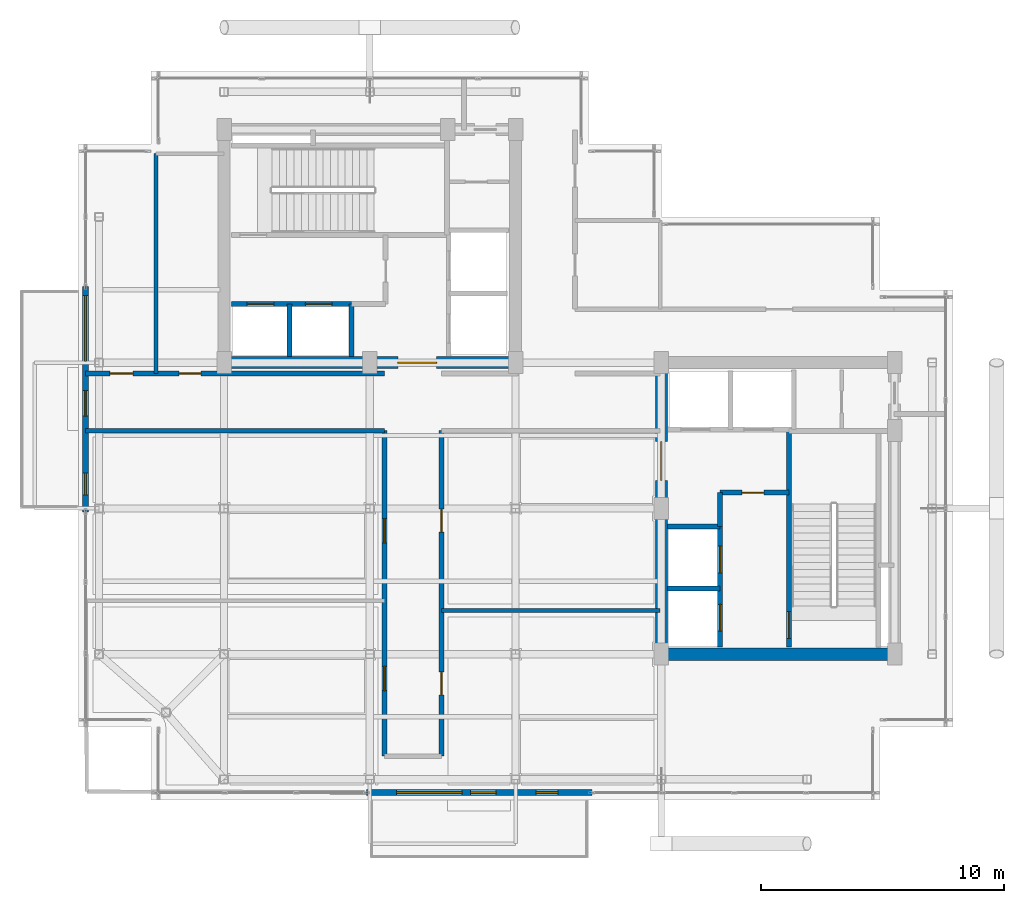
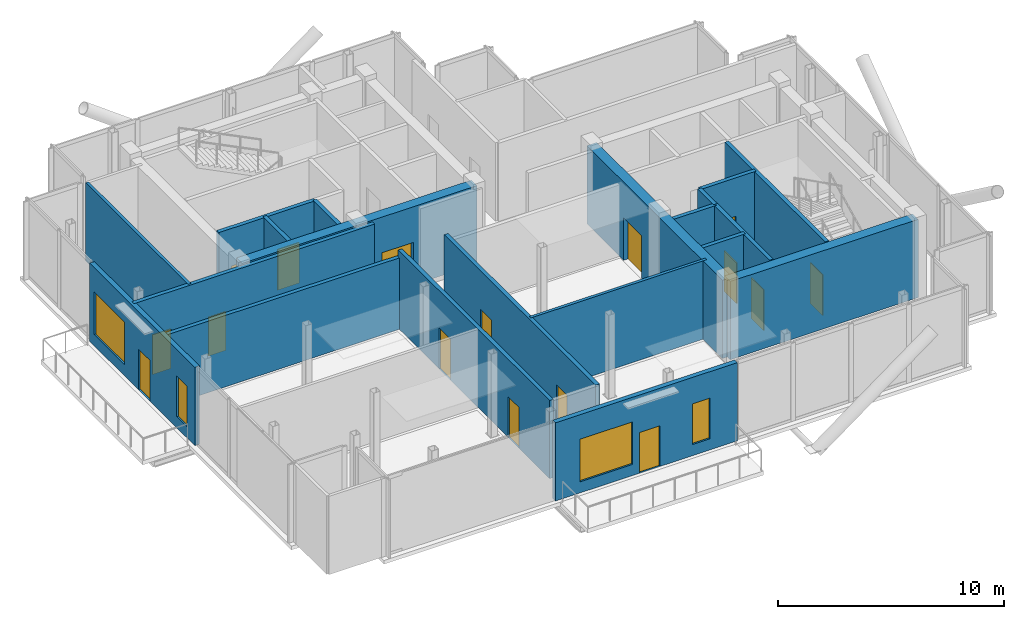
# One storey, part 12 of 16: 20 walls, 16 doors, 4 windows, 20 openings.
"""IFC4 building model written with IfcOpenShell, lengths in metres."""

from ifc_helpers import new_model, si_unit, direction, frame, frame_2d, origin, place, context, subcontext, project, spatial, rectangle, extrude, material, layer, layer_set, type_object, element, fill, save


model = new_model("IFC4")

# Units and contexts
model_context = context("Model", 3, precision=1e-05, world=origin(), true_north=direction((0.0, 1.0)))
body_context = subcontext(model_context, "Body", "Model", "MODEL_VIEW")
ifc_project = project(units=[si_unit("LENGTHUNIT", "METRE"), si_unit("AREAUNIT", "SQUARE_METRE"), si_unit("VOLUMEUNIT", "CUBIC_METRE"), si_unit("PLANEANGLEUNIT", "RADIAN"), si_unit("MASSUNIT", "GRAM", prefix="KILO"), si_unit("THERMODYNAMICTEMPERATUREUNIT", "KELVIN"), si_unit("POWERUNIT", "WATT")], contexts=[model_context])

# Site, building, storey
site_placement = place(None, origin())
site = spatial("IfcSite", under=ifc_project, at=site_placement, CompositionType="ELEMENT")
building_placement = place(site_placement, origin())
building = spatial("IfcBuilding", under=site, at=building_placement, Name="Svarakhadi Broadcast Tower", CompositionType="ELEMENT")
storey_placement = place(building_placement, frame((0.0, 0.0, 296.39990234375)))
storey = spatial("IfcBuildingStorey", under=building, at=storey_placement, Name="L75", CompositionType="ELEMENT", Elevation=296.39990234375)

# Wall, openings, door, windows
ifc_material_1 = material(Name="Concrete C40/50 (IS 456 M50)", Category="concrete")
ifc_layer_1 = layer(ifc_material_1, 0.239990234375)
ifc_layer_set_1 = layer_set([ifc_layer_1], Name="Concrete C40/50 (IS 456 M50)")
wall_type_1 = type_object("IfcWallType", Name="Wall_Ext_240", PredefinedType="SOLIDWALL", material=ifc_layer_set_1)
wall_1_placement = place(storey_placement, frame((21.14501953125, 0.300048828125, 0.0), z_axis=(0.0, 0.0, 1.0), x_axis=(-1.0, 0.0, 0.0)))
wall_1 = element("IfcWall", 1, at=wall_1_placement, inside=storey, type_object=wall_type_1, Name="L75 South Tree Balcony Spandrel Wall", PredefinedType="SOLIDWALL", context=body_context, shape_type="SweptSolid", body=[
    extrude(rectangle(XDim=9.2900390625, YDim=0.239990234375, at=frame_2d((4.64501953125, 0.0))), origin(), (0.0, 0.0, 1.0), 4.22509765625),
])
opening_1_placement = place(wall_1_placement, frame((3.945068359375, 0.0, 0.0)))
opening_1 = element("IfcOpeningElement", 2, at=opening_1_placement, cuts=wall_1, Name="Opening ED-05", PredefinedType="OPENING", context=body_context, shape_type="SweptSolid", body=[
    extrude(rectangle(XDim=1.050048828125, YDim=2.199951171875, at=frame_2d((0.52490234375, 1.10009765625))), frame((0.0, 0.1298828125, 0.0), z_axis=(0.0, -1.0, 0.0), x_axis=(1.0, 0.0, 0.0)), (0.0, 0.0, 1.0), 0.260009765625),
])
opening_2_placement = place(wall_1_placement, frame((5.344970703125, 0.0, 0.60009765625)))
opening_2 = element("IfcOpeningElement", 3, at=opening_2_placement, cuts=wall_1, Name="Opening WN-07", PredefinedType="OPENING", context=body_context, shape_type="SweptSolid", body=[
    extrude(rectangle(XDim=2.699951171875, YDim=2.300048828125, at=frame_2d((1.35009765625, 1.14990234375))), frame((0.0, 0.1298828125, 0.0), z_axis=(0.0, -1.0, 0.0), x_axis=(1.0, 0.0, 0.0)), (0.0, 0.0, 1.0), 0.260009765625),
])
opening_3_placement = place(wall_1_placement, frame((1.39990234375, 0.0, 0.60009765625)))
opening_3 = element("IfcOpeningElement", 4, at=opening_3_placement, cuts=wall_1, Name="Opening WN-04", PredefinedType="OPENING", context=body_context, shape_type="SweptSolid", body=[
    extrude(rectangle(XDim=0.89990234375, YDim=2.199951171875, at=frame_2d((0.449951171875, 1.10009765625))), frame((0.0, 0.1298828125, 0.0), z_axis=(0.0, -1.0, 0.0), x_axis=(1.0, 0.0, 0.0)), (0.0, 0.0, 1.0), 0.260009765625),
])
ifc_material_2 = material(Name="Anodised Bronze Aluminium AA 6063-T6", Category="aluminium")
door_type_1 = type_object("IfcDoorType", Name="Door_Ext_ED05", OperationType="SINGLE_SWING_LEFT", PredefinedType="DOOR", material=ifc_material_2)
door_1_placement = place(opening_1_placement, origin())
door_1 = element("IfcDoor", 5, at=door_1_placement, inside=storey, type_object=door_type_1, Name="L75 South Tree Balcony Door", OperationType="SINGLE_SWING_LEFT", OverallHeight=2.199951171875, OverallWidth=1.050048828125, PredefinedType="DOOR", context=body_context, shape_type="SweptSolid", body=[
    extrude(rectangle(XDim=1.050048828125, YDim=2.199951171875, at=frame_2d((0.52490234375, 1.10009765625))), frame((0.0, 0.02490234375, 0.0), z_axis=(0.0, -1.0, 0.0), x_axis=(1.0, 0.0, 0.0)), (0.0, 0.0, 1.0), 0.050048828125),
])
fill(opening_1, door_1)
ifc_material_3 = material(Name="Double Low-E Laminated Acoustic Glass IGU 36 mm", Category="glass")
window_type_1 = type_object("IfcWindowType", Name="Win_Resi_WN07", PartitioningType="SINGLE_PANEL", PredefinedType="WINDOW", material=ifc_material_3)
window_1_placement = place(opening_2_placement, origin())
window_1 = element("IfcWindow", 6, at=window_1_placement, inside=storey, type_object=window_type_1, Name="L75 South Tree Balcony Window", OverallHeight=2.300048828125, OverallWidth=2.699951171875, PartitioningType="SINGLE_PANEL", PredefinedType="WINDOW", context=body_context, shape_type="SweptSolid", body=[
    extrude(rectangle(XDim=2.699951171875, YDim=2.300048828125, at=frame_2d((1.35009765625, 1.14990234375))), frame((0.0, 0.030029296875, 0.0), z_axis=(0.0, -1.0, 0.0), x_axis=(1.0, 0.0, 0.0)), (0.0, 0.0, 1.0), 0.06005859375),
])
fill(opening_2, window_1)
window_type_2 = type_object("IfcWindowType", Name="Win_Slot_WN04", PartitioningType="SINGLE_PANEL", PredefinedType="WINDOW", material=ifc_material_3)
window_2_placement = place(opening_3_placement, origin())
window_2 = element("IfcWindow", 7, at=window_2_placement, inside=storey, type_object=window_type_2, Name="L75 South Primary Bedroom Slot Window", OverallHeight=2.199951171875, OverallWidth=0.89990234375, PartitioningType="SINGLE_PANEL", PredefinedType="WINDOW", context=body_context, shape_type="SweptSolid", body=[
    extrude(rectangle(XDim=0.89990234375, YDim=2.199951171875, at=frame_2d((0.449951171875, 1.10009765625))), frame((0.0, 0.030029296875, 0.0), z_axis=(0.0, -1.0, 0.0), x_axis=(1.0, 0.0, 0.0)), (0.0, 0.0, 1.0), 0.06005859375),
])
fill(opening_3, window_2)

wall_2_placement = place(storey_placement, frame((0.300048828125, 11.85498046875, 0.0), z_axis=(0.0, 0.0, 1.0), x_axis=(0.0, 1.0, 0.0)))
wall_2 = element("IfcWall", 8, at=wall_2_placement, inside=storey, type_object=wall_type_1, Name="L75 West Tree Balcony Spandrel Wall", PredefinedType="SOLIDWALL", context=body_context, shape_type="SweptSolid", body=[
    extrude(rectangle(XDim=9.2900390625, YDim=0.239990234375, at=frame_2d((4.64501953125, 0.0))), origin(), (0.0, 0.0, 1.0), 4.22509765625),
])
opening_4_placement = place(wall_2_placement, frame((3.945068359375, 0.0, 0.0)))
opening_4 = element("IfcOpeningElement", 9, at=opening_4_placement, cuts=wall_2, Name="Opening ED-06", PredefinedType="OPENING", context=body_context, shape_type="SweptSolid", body=[
    extrude(rectangle(XDim=1.050048828125, YDim=2.199951171875, at=frame_2d((0.52490234375, 1.10009765625))), frame((0.0, 0.1298828125, 0.0), z_axis=(0.0, -1.0, 0.0), x_axis=(1.0, 0.0, 0.0)), (0.0, 0.0, 1.0), 0.260009765625),
])
opening_5_placement = place(wall_2_placement, frame((6.199951171875, 0.0, 0.60009765625)))
opening_5 = element("IfcOpeningElement", 10, at=opening_5_placement, cuts=wall_2, Name="Opening WN-07", PredefinedType="OPENING", context=body_context, shape_type="SweptSolid", body=[
    extrude(rectangle(XDim=2.699951171875, YDim=2.300048828125, at=frame_2d((1.35009765625, 1.14990234375))), frame((0.0, 0.1298828125, 0.0), z_axis=(0.0, -1.0, 0.0), x_axis=(1.0, 0.0, 0.0)), (0.0, 0.0, 1.0), 0.260009765625),
])
opening_6_placement = place(wall_2_placement, frame((0.699951171875, 0.0, 0.60009765625)))
opening_6 = element("IfcOpeningElement", 11, at=opening_6_placement, cuts=wall_2, Name="Opening WN-04", PredefinedType="OPENING", context=body_context, shape_type="SweptSolid", body=[
    extrude(rectangle(XDim=0.89990234375, YDim=2.199951171875, at=frame_2d((0.449951171875, 1.10009765625))), frame((0.0, 0.1298828125, 0.0), z_axis=(0.0, -1.0, 0.0), x_axis=(1.0, 0.0, 0.0)), (0.0, 0.0, 1.0), 0.260009765625),
])
door_type_2 = type_object("IfcDoorType", Name="Door_Ext_ED06", OperationType="SINGLE_SWING_RIGHT", PredefinedType="DOOR", material=ifc_material_2)
door_2_placement = place(opening_4_placement, origin())
door_2 = element("IfcDoor", 12, at=door_2_placement, inside=storey, type_object=door_type_2, Name="L75 West Tree Balcony Door", OperationType="SINGLE_SWING_RIGHT", OverallHeight=2.199951171875, OverallWidth=1.050048828125, PredefinedType="DOOR", context=body_context, shape_type="SweptSolid", body=[
    extrude(rectangle(XDim=1.050048828125, YDim=2.199951171875, at=frame_2d((0.52490234375, 1.10009765625))), frame((0.0, 0.02490234375, 0.0), z_axis=(0.0, -1.0, 0.0), x_axis=(1.0, 0.0, 0.0)), (0.0, 0.0, 1.0), 0.050048828125),
])
fill(opening_4, door_2)
window_3_placement = place(opening_5_placement, origin())
window_3 = element("IfcWindow", 13, at=window_3_placement, inside=storey, type_object=window_type_1, Name="L75 West Tree Balcony Window", OverallHeight=2.300048828125, OverallWidth=2.699951171875, PartitioningType="SINGLE_PANEL", PredefinedType="WINDOW", context=body_context, shape_type="SweptSolid", body=[
    extrude(rectangle(XDim=2.699951171875, YDim=2.300048828125, at=frame_2d((1.35009765625, 1.14990234375))), frame((0.0, 0.030029296875, 0.0), z_axis=(0.0, -1.0, 0.0), x_axis=(1.0, 0.0, 0.0)), (0.0, 0.0, 1.0), 0.06005859375),
])
fill(opening_5, window_3)
window_4_placement = place(opening_6_placement, origin())
window_4 = element("IfcWindow", 14, at=window_4_placement, inside=storey, type_object=window_type_2, Name="L75 West Secondary Bedroom Slot Window", OverallHeight=2.199951171875, OverallWidth=0.89990234375, PartitioningType="SINGLE_PANEL", PredefinedType="WINDOW", context=body_context, shape_type="SweptSolid", body=[
    extrude(rectangle(XDim=0.89990234375, YDim=2.199951171875, at=frame_2d((0.449951171875, 1.10009765625))), frame((0.0, 0.030029296875, 0.0), z_axis=(0.0, -1.0, 0.0), x_axis=(1.0, 0.0, 0.0)), (0.0, 0.0, 1.0), 0.06005859375),
])
fill(opening_6, window_4)

# Wall, openings, doors
ifc_layer_2 = layer(ifc_material_1, 0.199951171875)
ifc_layer_set_2 = layer_set([ifc_layer_2], Name="Concrete C40/50 (IS 456 M50)")
wall_type_2 = type_object("IfcWallType", Name="Wall_Fire_200", PredefinedType="SOLIDWALL", material=ifc_layer_set_2)
wall_3_placement = place(storey_placement, frame((12.60009765625, 1.800048828125, 0.0), z_axis=(0.0, 0.0, 1.0), x_axis=(0.0, 1.0, 0.0)))
wall_3 = element("IfcWall", 15, at=wall_3_placement, inside=storey, type_object=wall_type_2, Name="L75 Upper Tower Concourse Wall", PredefinedType="SOLIDWALL", context=body_context, shape_type="SweptSolid", body=[
    extrude(rectangle(XDim=13.39990234375, YDim=0.199951171875, at=frame_2d((6.699951171875, 0.0))), origin(), (0.0, 0.0, 1.0), 4.22509765625),
])
opening_7_placement = place(wall_3_placement, frame((2.699951171875, 0.0, 0.0)))
opening_7 = element("IfcOpeningElement", 16, at=opening_7_placement, cuts=wall_3, Name="Opening D-08", PredefinedType="OPENING", context=body_context, shape_type="SweptSolid", body=[
    extrude(rectangle(XDim=1.0, YDim=2.199951171875, at=frame_2d((0.5, 1.10009765625))), frame((0.0, 0.10986328125, 0.0), z_axis=(0.0, -1.0, 0.0), x_axis=(1.0, 0.0, 0.0)), (0.0, 0.0, 1.0), 0.219970703125),
])
opening_8_placement = place(wall_3_placement, frame((8.780029296875, 0.0, 0.0)))
opening_8 = element("IfcOpeningElement", 17, at=opening_8_placement, cuts=wall_3, Name="Opening D-08", PredefinedType="OPENING", context=body_context, shape_type="SweptSolid", body=[
    extrude(rectangle(XDim=1.0, YDim=2.199951171875, at=frame_2d((0.5, 1.10009765625))), frame((0.0, 0.10986328125, 0.0), z_axis=(0.0, -1.0, 0.0), x_axis=(1.0, 0.0, 0.0)), (0.0, 0.0, 1.0), 0.219970703125),
])
ifc_material_4 = material(Name="Solid-Core Teak Veneer Acoustic Timber Leaf", Category="wood")
door_type_3 = type_object("IfcDoorType", Name="Door_Suite_D08", OperationType="SINGLE_SWING_LEFT", PredefinedType="DOOR", material=ifc_material_4)
door_3_placement = place(opening_7_placement, origin())
door_3 = element("IfcDoor", 18, at=door_3_placement, inside=storey, type_object=door_type_3, Name="L75 Public 360-Degree Harbour Viewing Deck Door", OperationType="SINGLE_SWING_LEFT", OverallHeight=2.199951171875, OverallWidth=1.0, PredefinedType="DOOR", context=body_context, shape_type="SweptSolid", body=[
    extrude(rectangle(XDim=1.0, YDim=2.199951171875, at=frame_2d((0.5, 1.10009765625))), frame((0.0, 0.02490234375, 0.0), z_axis=(0.0, -1.0, 0.0), x_axis=(1.0, 0.0, 0.0)), (0.0, 0.0, 1.0), 0.050048828125),
])
fill(opening_7, door_3)
door_4_placement = place(opening_8_placement, origin())
door_4 = element("IfcDoor", 19, at=door_4_placement, inside=storey, type_object=door_type_3, Name="L75 Interactive Mumbai Media Gallery Door", OperationType="SINGLE_SWING_LEFT", OverallHeight=2.199951171875, OverallWidth=1.0, PredefinedType="DOOR", context=body_context, shape_type="SweptSolid", body=[
    extrude(rectangle(XDim=1.0, YDim=2.199951171875, at=frame_2d((0.5, 1.10009765625))), frame((0.0, 0.02490234375, 0.0), z_axis=(0.0, -1.0, 0.0), x_axis=(1.0, 0.0, 0.0)), (0.0, 0.0, 1.0), 0.050048828125),
])
fill(opening_8, door_4)

# Wall
wall_4_placement = place(storey_placement, frame((12.60009765625, 15.199951171875, 0.0), z_axis=(0.0, 0.0, 1.0), x_axis=(-1.0, 0.0, 0.0)))
element("IfcWall", 20, at=wall_4_placement, inside=storey, type_object=wall_type_2, Name="L75 Upper Tower Concourse Wall", PredefinedType="SOLIDWALL", context=body_context, shape_type="SweptSolid", body=[
    extrude(rectangle(XDim=12.300048828125, YDim=0.199951171875, at=frame_2d((6.14990234375, 0.0))), origin(), (0.0, 0.0, 1.0), 3.857177734375),
])

# Wall, openings, doors
wall_5_placement = place(storey_placement, frame((0.300048828125, 17.550048828125, 0.0), z_axis=(0.0, 0.0, 1.0), x_axis=(1.0, 0.0, 0.0)))
wall_5 = element("IfcWall", 21, at=wall_5_placement, inside=storey, type_object=wall_type_2, Name="L75 Upper Tower Concourse Wall", PredefinedType="SOLIDWALL", context=body_context, shape_type="SweptSolid", body=[
    extrude(rectangle(XDim=12.300048828125, YDim=0.199951171875, at=frame_2d((6.14990234375, 0.0))), origin(), (0.0, 0.0, 1.0), 4.22509765625),
])
opening_9_placement = place(wall_5_placement, frame((1.0, 0.0, 0.0)))
opening_9 = element("IfcOpeningElement", 22, at=opening_9_placement, cuts=wall_5, Name="Opening D-07", PredefinedType="OPENING", context=body_context, shape_type="SweptSolid", body=[
    extrude(rectangle(XDim=0.949951171875, YDim=2.14990234375, at=frame_2d((0.47509765625, 1.074951171875))), frame((0.0, 0.10986328125, 0.0), z_axis=(0.0, -1.0, 0.0), x_axis=(1.0, 0.0, 0.0)), (0.0, 0.0, 1.0), 0.219970703125),
])
opening_10_placement = place(wall_5_placement, frame((3.85009765625, 0.0, 0.0)))
opening_10 = element("IfcOpeningElement", 23, at=opening_10_placement, cuts=wall_5, Name="Opening D-12", PredefinedType="OPENING", context=body_context, shape_type="SweptSolid", body=[
    extrude(rectangle(XDim=0.89990234375, YDim=2.10009765625, at=frame_2d((0.449951171875, 1.050048828125))), frame((0.0, 0.10986328125, 0.0), z_axis=(0.0, -1.0, 0.0), x_axis=(1.0, 0.0, 0.0)), (0.0, 0.0, 1.0), 0.219970703125),
])
door_type_4 = type_object("IfcDoorType", Name="Door_Office_D07", OperationType="SINGLE_SWING_RIGHT", PredefinedType="DOOR", material=ifc_material_4)
door_5_placement = place(opening_9_placement, origin())
door_5 = element("IfcDoor", 24, at=door_5_placement, inside=storey, type_object=door_type_4, Name="L75 West Horizon Viewing Salon Door", OperationType="SINGLE_SWING_RIGHT", OverallHeight=2.14990234375, OverallWidth=0.949951171875, PredefinedType="DOOR", context=body_context, shape_type="SweptSolid", body=[
    extrude(rectangle(XDim=0.949951171875, YDim=2.14990234375, at=frame_2d((0.47509765625, 1.074951171875))), frame((0.0, 0.02490234375, 0.0), z_axis=(0.0, -1.0, 0.0), x_axis=(1.0, 0.0, 0.0)), (0.0, 0.0, 1.0), 0.050048828125),
])
fill(opening_9, door_5)
door_type_5 = type_object("IfcDoorType", Name="Door_WC_D01", OperationType="SINGLE_SWING_LEFT", PredefinedType="DOOR", material=ifc_material_4)
door_6_placement = place(opening_10_placement, origin())
door_6 = element("IfcDoor", 25, at=door_6_placement, inside=storey, type_object=door_type_5, Name="L75 Accessible Crown Washroom WC Door", OperationType="SINGLE_SWING_LEFT", OverallHeight=2.10009765625, OverallWidth=0.89990234375, PredefinedType="DOOR", context=body_context, shape_type="SweptSolid", body=[
    extrude(rectangle(XDim=0.89990234375, YDim=2.10009765625, at=frame_2d((0.449951171875, 1.050048828125))), frame((0.0, 0.02490234375, 0.0), z_axis=(0.0, -1.0, 0.0), x_axis=(1.0, 0.0, 0.0)), (0.0, 0.0, 1.0), 0.050048828125),
])
fill(opening_10, door_6)

wall_6_placement = place(storey_placement, frame((14.949951171875, 15.199951171875, 0.0), z_axis=(0.0, 0.0, 1.0), x_axis=(0.0, -1.0, 0.0)))
wall_6 = element("IfcWall", 26, at=wall_6_placement, inside=storey, type_object=wall_type_2, Name="L75 Upper Tower Concourse Wall", PredefinedType="SOLIDWALL", context=body_context, shape_type="SweptSolid", body=[
    extrude(rectangle(XDim=13.39990234375, YDim=0.199951171875, at=frame_2d((6.699951171875, 0.0))), origin(), (0.0, 0.0, 1.0), 4.22509765625),
])
opening_11_placement = place(wall_6_placement, frame((9.925048828125, 0.0, 0.0)))
opening_11 = element("IfcOpeningElement", 27, at=opening_11_placement, cuts=wall_6, Name="Opening D-07", PredefinedType="OPENING", context=body_context, shape_type="SweptSolid", body=[
    extrude(rectangle(XDim=0.949951171875, YDim=2.14990234375, at=frame_2d((0.47509765625, 1.074951171875))), frame((0.0, 0.10986328125, 0.0), z_axis=(0.0, -1.0, 0.0), x_axis=(1.0, 0.0, 0.0)), (0.0, 0.0, 1.0), 0.219970703125),
])
opening_12_placement = place(wall_6_placement, frame((3.22509765625, 0.0, 0.0)))
opening_12 = element("IfcOpeningElement", 28, at=opening_12_placement, cuts=wall_6, Name="Opening D-06", PredefinedType="OPENING", context=body_context, shape_type="SweptSolid", body=[
    extrude(rectangle(XDim=0.949951171875, YDim=2.14990234375, at=frame_2d((0.47509765625, 1.074951171875))), frame((0.0, 0.10986328125, 0.0), z_axis=(0.0, -1.0, 0.0), x_axis=(1.0, 0.0, 0.0)), (0.0, 0.0, 1.0), 0.219970703125),
])
door_type_6 = type_object("IfcDoorType", Name="Door_Office_D06", OperationType="SINGLE_SWING_LEFT", PredefinedType="DOOR", material=ifc_material_4)
door_7_placement = place(opening_12_placement, origin())
door_7 = element("IfcDoor", 29, at=door_7_placement, inside=storey, type_object=door_type_6, Name="L75 Observatory Catering Pantry Door", OperationType="SINGLE_SWING_LEFT", OverallHeight=2.14990234375, OverallWidth=0.949951171875, PredefinedType="DOOR", context=body_context, shape_type="SweptSolid", body=[
    extrude(rectangle(XDim=0.949951171875, YDim=2.14990234375, at=frame_2d((0.47509765625, 1.074951171875))), frame((0.0, 0.02490234375, 0.0), z_axis=(0.0, -1.0, 0.0), x_axis=(1.0, 0.0, 0.0)), (0.0, 0.0, 1.0), 0.050048828125),
])
fill(opening_12, door_7)
door_8_placement = place(opening_11_placement, origin())
door_8 = element("IfcDoor", 30, at=door_8_placement, inside=storey, type_object=door_type_4, Name="L75 Sky-High Observatory Cafe Door", OperationType="SINGLE_SWING_RIGHT", OverallHeight=2.14990234375, OverallWidth=0.949951171875, PredefinedType="DOOR", context=body_context, shape_type="SweptSolid", body=[
    extrude(rectangle(XDim=0.949951171875, YDim=2.14990234375, at=frame_2d((0.47509765625, 1.074951171875))), frame((0.0, 0.02490234375, 0.0), z_axis=(0.0, -1.0, 0.0), x_axis=(1.0, 0.0, 0.0)), (0.0, 0.0, 1.0), 0.050048828125),
])
fill(opening_11, door_8)

# Walls
ifc_material_5 = material(Name="Autoclaved Aerated Concrete Blockwork 150 mm", Category="masonry")
ifc_layer_3 = layer(ifc_material_5, 0.14990234375)
ifc_layer_set_3 = layer_set([ifc_layer_3], Name="Autoclaved Aerated Concrete Blockwork 150 mm")
wall_type_3 = type_object("IfcWallType", Name="Wall_Part_150", PredefinedType="PARTITIONING", material=ifc_layer_set_3)
wall_7_placement = place(storey_placement, frame((14.949951171875, 7.800048828125, 0.0), z_axis=(0.0, 0.0, 1.0), x_axis=(1.0, 0.0, 0.0)))
element("IfcWall", 31, at=wall_7_placement, inside=storey, type_object=wall_type_3, Name="L75 Sky-High Observatory Cafe Wall", PredefinedType="PARTITIONING", context=body_context, shape_type="SweptSolid", body=[
    extrude(rectangle(XDim=9.0, YDim=0.14990234375, at=frame_2d((4.5, 0.0))), origin(), (0.0, 0.0, 1.0), 4.22509765625),
])
wall_8_placement = place(storey_placement, frame((3.199951171875, 17.550048828125, 0.0), z_axis=(0.0, 0.0, 1.0), x_axis=(0.0, 1.0, 0.0)))
element("IfcWall", 32, at=wall_8_placement, inside=storey, type_object=wall_type_3, Name="L75 West Horizon Viewing Salon Wall", PredefinedType="PARTITIONING", context=body_context, shape_type="SweptSolid", body=[
    extrude(rectangle(XDim=9.050048828125, YDim=0.14990234375, at=frame_2d((4.52490234375, 0.0))), origin(), (0.0, 0.0, 1.0), 4.22509765625),
])

# Wall, opening, door
ifc_material_6 = material(Name="Concrete C50/60 (IS 456 M60)", Category="concrete")
ifc_layer_4 = layer(ifc_material_6, 0.199951171875)
ifc_layer_set_4 = layer_set([ifc_layer_4], Name="Concrete C50/60 (IS 456 M60)")
wall_type_4 = type_object("IfcWallType", Name="Wall_Shear_200", PredefinedType="SHEAR", material=ifc_layer_set_4)
wall_9_placement = place(storey_placement, frame((29.260009765625, 6.300048828125, 0.0), z_axis=(0.0, 0.0, 1.0), x_axis=(0.0, 1.0, 0.0)))
wall_9 = element("IfcWall", 33, at=wall_9_placement, inside=storey, type_object=wall_type_4, Name="L75 Stair ST-02 West RC Shaft Wall", PredefinedType="SHEAR", context=body_context, shape_type="SweptSolid", body=[
    extrude(rectangle(XDim=8.8798828125, YDim=0.199951171875, at=frame_2d((4.43994140625, 0.0))), origin(), (0.0, 0.0, 1.0), 4.22509765625),
])
opening_13_placement = place(wall_9_placement, frame((0.35009765625, 0.0, 0.0)))
opening_13 = element("IfcOpeningElement", 34, at=opening_13_placement, cuts=wall_9, Name="Opening D-02", PredefinedType="OPENING", context=body_context, shape_type="SweptSolid", body=[
    extrude(rectangle(XDim=1.10009765625, YDim=2.199951171875, at=frame_2d((0.550048828125, 1.10009765625))), frame((0.0, 0.10986328125, 0.0), z_axis=(0.0, -1.0, 0.0), x_axis=(1.0, 0.0, 0.0)), (0.0, 0.0, 1.0), 0.219970703125),
])
ifc_material_7 = material(Name="Galvanised Powder-Coated Fire-Rated Steel Leaf", Category="steel")
door_type_7 = type_object("IfcDoorType", Name="Door_Stair_D02", OperationType="SINGLE_SWING_RIGHT", PredefinedType="DOOR", material=ifc_material_7)
door_9_placement = place(opening_13_placement, origin())
door_9 = element("IfcDoor", 35, at=door_9_placement, inside=storey, type_object=door_type_7, Name="L75 Protected Exit Stair ST-02 Fire Door", OperationType="SINGLE_SWING_RIGHT", OverallHeight=2.199951171875, OverallWidth=1.10009765625, PredefinedType="DOOR", context=body_context, shape_type="SweptSolid", body=[
    extrude(rectangle(XDim=1.10009765625, YDim=2.199951171875, at=frame_2d((0.550048828125, 1.10009765625))), frame((0.0, 0.02490234375, 0.0), z_axis=(0.0, -1.0, 0.0), x_axis=(1.0, 0.0, 0.0)), (0.0, 0.0, 1.0), 0.050048828125),
])
fill(opening_13, door_9)

# Wall, openings, doors
wall_10_placement = place(storey_placement, frame((6.300048828125, 20.419921875, 0.0), z_axis=(0.0, 0.0, 1.0), x_axis=(1.0, 0.0, 0.0)))
wall_10 = element("IfcWall", 36, at=wall_10_placement, inside=storey, type_object=wall_type_4, Name="L75 Firefighting Lift LF-01/02 Shaft Wall", PredefinedType="SHEAR", context=body_context, shape_type="SweptSolid", body=[
    extrude(rectangle(XDim=4.949951171875, YDim=0.199951171875, at=frame_2d((2.47509765625, 0.0))), origin(), (0.0, 0.0, 1.0), 4.22509765625),
])
opening_14_placement = place(wall_10_placement, frame((0.64990234375, 0.0, 0.0)))
opening_14 = element("IfcOpeningElement", 37, at=opening_14_placement, cuts=wall_10, Name="Opening LD-01", PredefinedType="OPENING", context=body_context, shape_type="SweptSolid", body=[
    extrude(rectangle(XDim=1.10009765625, YDim=2.199951171875, at=frame_2d((0.550048828125, 1.10009765625))), frame((0.0, 0.10986328125, 0.0), z_axis=(0.0, -1.0, 0.0), x_axis=(1.0, 0.0, 0.0)), (0.0, 0.0, 1.0), 0.219970703125),
])
opening_15_placement = place(wall_10_placement, frame((3.050048828125, 0.0, 0.0)))
opening_15 = element("IfcOpeningElement", 38, at=opening_15_placement, cuts=wall_10, Name="Opening LD-01", PredefinedType="OPENING", context=body_context, shape_type="SweptSolid", body=[
    extrude(rectangle(XDim=1.10009765625, YDim=2.199951171875, at=frame_2d((0.550048828125, 1.10009765625))), frame((0.0, 0.10986328125, 0.0), z_axis=(0.0, -1.0, 0.0), x_axis=(1.0, 0.0, 0.0)), (0.0, 0.0, 1.0), 0.219970703125),
])
door_type_8 = type_object("IfcDoorType", Name="Door_Lift_LD01", OperationType="SLIDING_TO_LEFT", PredefinedType="DOOR", material=ifc_material_7)
door_10_placement = place(opening_14_placement, origin())
door_10 = element("IfcDoor", 39, at=door_10_placement, inside=storey, type_object=door_type_8, Name="L75 Firefighting Lift LF-01 Landing Door", OperationType="SLIDING_TO_LEFT", OverallHeight=2.199951171875, OverallWidth=1.10009765625, PredefinedType="DOOR", context=body_context, shape_type="SweptSolid", body=[
    extrude(rectangle(XDim=1.10009765625, YDim=2.199951171875, at=frame_2d((0.550048828125, 1.10009765625))), frame((0.0, 0.02490234375, 0.0), z_axis=(0.0, -1.0, 0.0), x_axis=(1.0, 0.0, 0.0)), (0.0, 0.0, 1.0), 0.050048828125),
])
fill(opening_14, door_10)
door_11_placement = place(opening_15_placement, origin())
door_11 = element("IfcDoor", 40, at=door_11_placement, inside=storey, type_object=door_type_8, Name="L75 Firefighting Lift LF-02 Landing Door", OperationType="SLIDING_TO_LEFT", OverallHeight=2.199951171875, OverallWidth=1.10009765625, PredefinedType="DOOR", context=body_context, shape_type="SweptSolid", body=[
    extrude(rectangle(XDim=1.10009765625, YDim=2.199951171875, at=frame_2d((0.550048828125, 1.10009765625))), frame((0.0, 0.02490234375, 0.0), z_axis=(0.0, -1.0, 0.0), x_axis=(1.0, 0.0, 0.0)), (0.0, 0.0, 1.0), 0.050048828125),
])
fill(opening_15, door_11)

# Walls
for number, where, z_axis, x_axis, name in (
    (41, (8.699951171875, 18.25, 0.0), (0.0, 0.0, 1.0), (0.0, 1.0, 0.0), "L75 Firefighting Lift LF-01/02 Divider Wall"),
    (42, (11.25, 18.25, 0.0), (0.0, 0.0, 1.0), (0.0, 1.0, 0.0), "L75 Firefighting Lift LF-02 East Wall"),
):
    element("IfcWall", number, at=place(storey_placement, frame(where, z_axis=z_axis, x_axis=x_axis)), inside=storey, type_object=wall_type_4, Name=name, PredefinedType="SHEAR", context=body_context, shape_type="SweptSolid", body=[
        extrude(rectangle(XDim=2.169921875, YDim=0.199951171875, at=frame_2d((1.0849609375, 0.0))), origin(), (0.0, 0.0, 1.0), 4.22509765625),
    ])

# Wall, openings, doors
wall_11_placement = place(storey_placement, frame((26.419921875, 6.300048828125, 0.0), z_axis=(0.0, 0.0, 1.0), x_axis=(0.0, 1.0, 0.0)))
wall_11 = element("IfcWall", 43, at=wall_11_placement, inside=storey, type_object=wall_type_4, Name="L75 Firefighting Lift LF-03/04 Shaft Wall", PredefinedType="SHEAR", context=body_context, shape_type="SweptSolid", body=[
    extrude(rectangle(XDim=4.949951171875, YDim=0.199951171875, at=frame_2d((2.47509765625, 0.0))), origin(), (0.0, 0.0, 1.0), 4.22509765625),
])
opening_16_placement = place(wall_11_placement, frame((0.64990234375, 0.0, 0.0)))
opening_16 = element("IfcOpeningElement", 44, at=opening_16_placement, cuts=wall_11, Name="Opening LD-01", PredefinedType="OPENING", context=body_context, shape_type="SweptSolid", body=[
    extrude(rectangle(XDim=1.10009765625, YDim=2.199951171875, at=frame_2d((0.550048828125, 1.10009765625))), frame((0.0, 0.10986328125, 0.0), z_axis=(0.0, -1.0, 0.0), x_axis=(1.0, 0.0, 0.0)), (0.0, 0.0, 1.0), 0.219970703125),
])
opening_17_placement = place(wall_11_placement, frame((3.050048828125, 0.0, 0.0)))
opening_17 = element("IfcOpeningElement", 45, at=opening_17_placement, cuts=wall_11, Name="Opening LD-01", PredefinedType="OPENING", context=body_context, shape_type="SweptSolid", body=[
    extrude(rectangle(XDim=1.10009765625, YDim=2.199951171875, at=frame_2d((0.550048828125, 1.10009765625))), frame((0.0, 0.10986328125, 0.0), z_axis=(0.0, -1.0, 0.0), x_axis=(1.0, 0.0, 0.0)), (0.0, 0.0, 1.0), 0.219970703125),
])
door_12_placement = place(opening_16_placement, origin())
door_12 = element("IfcDoor", 46, at=door_12_placement, inside=storey, type_object=door_type_8, Name="L75 Firefighting Lift LF-03 Landing Door", OperationType="SLIDING_TO_LEFT", OverallHeight=2.199951171875, OverallWidth=1.10009765625, PredefinedType="DOOR", context=body_context, shape_type="SweptSolid", body=[
    extrude(rectangle(XDim=1.10009765625, YDim=2.199951171875, at=frame_2d((0.550048828125, 1.10009765625))), frame((0.0, 0.02490234375, 0.0), z_axis=(0.0, -1.0, 0.0), x_axis=(1.0, 0.0, 0.0)), (0.0, 0.0, 1.0), 0.050048828125),
])
fill(opening_16, door_12)
door_13_placement = place(opening_17_placement, origin())
door_13 = element("IfcDoor", 47, at=door_13_placement, inside=storey, type_object=door_type_8, Name="L75 Firefighting Lift LF-04 Landing Door", OperationType="SLIDING_TO_LEFT", OverallHeight=2.199951171875, OverallWidth=1.10009765625, PredefinedType="DOOR", context=body_context, shape_type="SweptSolid", body=[
    extrude(rectangle(XDim=1.10009765625, YDim=2.199951171875, at=frame_2d((0.550048828125, 1.10009765625))), frame((0.0, 0.02490234375, 0.0), z_axis=(0.0, -1.0, 0.0), x_axis=(1.0, 0.0, 0.0)), (0.0, 0.0, 1.0), 0.050048828125),
])
fill(opening_17, door_13)

# Walls
for number, where, z_axis, x_axis, name in (
    (48, (24.25, 8.699951171875, 0.0), (0.0, 0.0, 1.0), (1.0, 0.0, 0.0), "L75 Firefighting Lift LF-03/04 Divider Wall"),
    (49, (24.25, 11.25, 0.0), (0.0, 0.0, 1.0), (1.0, 0.0, 0.0), "L75 Firefighting Lift LF-04 North Wall"),
):
    element("IfcWall", number, at=place(storey_placement, frame(where, z_axis=z_axis, x_axis=x_axis)), inside=storey, type_object=wall_type_4, Name=name, PredefinedType="SHEAR", context=body_context, shape_type="SweptSolid", body=[
        extrude(rectangle(XDim=2.169921875, YDim=0.199951171875, at=frame_2d((1.0849609375, 0.0))), origin(), (0.0, 0.0, 1.0), 4.22509765625),
    ])
wall_12_placement = place(storey_placement, frame((26.419921875, 11.25, 0.0), z_axis=(0.0, 0.0, 1.0), x_axis=(0.0, 1.0, 0.0)))
element("IfcWall", 50, at=wall_12_placement, inside=storey, type_object=wall_type_4, Name="L75 East Firefighting Lobby West Wall", PredefinedType="SHEAR", context=body_context, shape_type="SweptSolid", body=[
    extrude(rectangle(XDim=1.39990234375, YDim=0.199951171875, at=frame_2d((0.699951171875, 0.0))), origin(), (0.0, 0.0, 1.0), 4.22509765625),
])

# Wall, opening, door
wall_13_placement = place(storey_placement, frame((26.419921875, 12.64990234375, 0.0), z_axis=(0.0, 0.0, 1.0), x_axis=(1.0, 0.0, 0.0)))
wall_13 = element("IfcWall", 51, at=wall_13_placement, inside=storey, type_object=wall_type_4, Name="L75 East Firefighting Lobby North Wall", PredefinedType="SHEAR", context=body_context, shape_type="SweptSolid", body=[
    extrude(rectangle(XDim=2.840087890625, YDim=0.199951171875, at=frame_2d((1.419921875, 0.0))), origin(), (0.0, 0.0, 1.0), 4.22509765625),
])
opening_18_placement = place(wall_13_placement, frame((0.89990234375, 0.0, 0.0)))
opening_18 = element("IfcOpeningElement", 52, at=opening_18_placement, cuts=wall_13, Name="Opening D-04", PredefinedType="OPENING", context=body_context, shape_type="SweptSolid", body=[
    extrude(rectangle(XDim=0.89990234375, YDim=2.14990234375, at=frame_2d((0.449951171875, 1.074951171875))), frame((0.0, 0.10986328125, 0.0), z_axis=(0.0, -1.0, 0.0), x_axis=(1.0, 0.0, 0.0)), (0.0, 0.0, 1.0), 0.219970703125),
])
door_type_9 = type_object("IfcDoorType", Name="Door_Fire_D04", OperationType="SINGLE_SWING_RIGHT", PredefinedType="DOOR", material=ifc_material_7)
door_14_placement = place(opening_18_placement, origin())
door_14 = element("IfcDoor", 53, at=door_14_placement, inside=storey, type_object=door_type_9, Name="L75 East Firefighting Lobby Fire Door", OperationType="SINGLE_SWING_RIGHT", OverallHeight=2.14990234375, OverallWidth=0.89990234375, PredefinedType="DOOR", context=body_context, shape_type="SweptSolid", body=[
    extrude(rectangle(XDim=0.89990234375, YDim=2.14990234375, at=frame_2d((0.449951171875, 1.074951171875))), frame((0.0, 0.02490234375, 0.0), z_axis=(0.0, -1.0, 0.0), x_axis=(1.0, 0.0, 0.0)), (0.0, 0.0, 1.0), 0.050048828125),
])
fill(opening_18, door_14)

ifc_layer_5 = layer(ifc_material_6, 0.5)
ifc_layer_set_5 = layer_set([ifc_layer_5], Name="Concrete C50/60 (IS 456 M60)")
wall_type_5 = type_object("IfcWallType", Name="Wall_Shear_500", PredefinedType="SHEAR", material=ifc_layer_set_5)
wall_14_placement = place(storey_placement, frame((6.0, 18.0, 0.0), z_axis=(0.0, 0.0, 1.0), x_axis=(1.0, 0.0, 0.0)))
wall_14 = element("IfcWall", 54, at=wall_14_placement, inside=storey, type_object=wall_type_5, Name="L75 West Core South Shear Wall", PredefinedType="SHEAR", context=body_context, shape_type="SweptSolid", body=[
    extrude(rectangle(XDim=12.0, YDim=0.5, at=frame_2d((6.0, 0.0))), origin(), (0.0, 0.0, 1.0), 4.22509765625),
])
opening_19_placement = place(wall_14_placement, frame((7.14990234375, 0.0, 0.0)))
opening_19 = element("IfcOpeningElement", 55, at=opening_19_placement, cuts=wall_14, Name="Opening D-05", PredefinedType="OPENING", context=body_context, shape_type="SweptSolid", body=[
    extrude(rectangle(XDim=1.60009765625, YDim=2.300048828125, at=frame_2d((0.800048828125, 1.14990234375))), frame((0.0, 0.260009765625, 0.0), z_axis=(0.0, -1.0, 0.0), x_axis=(1.0, 0.0, 0.0)), (0.0, 0.0, 1.0), 0.52001953125),
])
door_type_10 = type_object("IfcDoorType", Name="Door_Lobby_D05", OperationType="DOUBLE_DOOR_SLIDING", PredefinedType="DOOR", material=ifc_material_2)
door_15_placement = place(opening_19_placement, origin())
door_15 = element("IfcDoor", 56, at=door_15_placement, inside=storey, type_object=door_type_10, Name="L75 West Core Passenger Lift Lobby Entrance Door", OperationType="DOUBLE_DOOR_SLIDING", OverallHeight=2.300048828125, OverallWidth=1.60009765625, PredefinedType="DOOR", context=body_context, shape_type="SweptSolid", body=[
    extrude(rectangle(XDim=1.60009765625, YDim=2.300048828125, at=frame_2d((0.800048828125, 1.14990234375))), frame((0.0, 0.02490234375, 0.0), z_axis=(0.0, -1.0, 0.0), x_axis=(1.0, 0.0, 0.0)), (0.0, 0.0, 1.0), 0.050048828125),
])
fill(opening_19, door_15)

# Wall
wall_15_placement = place(storey_placement, frame((24.0, 6.0, 0.0), z_axis=(0.0, 0.0, 1.0), x_axis=(1.0, 0.0, 0.0)))
element("IfcWall", 57, at=wall_15_placement, inside=storey, type_object=wall_type_5, Name="L75 East Core South Shear Wall", PredefinedType="SHEAR", context=body_context, shape_type="SweptSolid", body=[
    extrude(rectangle(XDim=9.60009765625, YDim=0.5, at=frame_2d((4.800048828125, 0.0))), origin(), (0.0, 0.0, 1.0), 4.22509765625),
])

# Wall, opening, door
wall_16_placement = place(storey_placement, frame((24.0, 6.0, 0.0), z_axis=(0.0, 0.0, 1.0), x_axis=(0.0, 1.0, 0.0)))
wall_16 = element("IfcWall", 58, at=wall_16_placement, inside=storey, type_object=wall_type_5, Name="L75 East Core West Shear Wall", PredefinedType="SHEAR", context=body_context, shape_type="SweptSolid", body=[
    extrude(rectangle(XDim=12.0, YDim=0.5, at=frame_2d((6.0, 0.0))), origin(), (0.0, 0.0, 1.0), 4.22509765625),
])
opening_20_placement = place(wall_16_placement, frame((7.14990234375, 0.0, 0.0)))
opening_20 = element("IfcOpeningElement", 59, at=opening_20_placement, cuts=wall_16, Name="Opening D-05", PredefinedType="OPENING", context=body_context, shape_type="SweptSolid", body=[
    extrude(rectangle(XDim=1.60009765625, YDim=2.300048828125, at=frame_2d((0.800048828125, 1.14990234375))), frame((0.0, 0.260009765625, 0.0), z_axis=(0.0, -1.0, 0.0), x_axis=(1.0, 0.0, 0.0)), (0.0, 0.0, 1.0), 0.52001953125),
])
door_16_placement = place(opening_20_placement, origin())
door_16 = element("IfcDoor", 60, at=door_16_placement, inside=storey, type_object=door_type_10, Name="L75 East Core Passenger Lift Lobby Entrance Door", OperationType="DOUBLE_DOOR_SLIDING", OverallHeight=2.300048828125, OverallWidth=1.60009765625, PredefinedType="DOOR", context=body_context, shape_type="SweptSolid", body=[
    extrude(rectangle(XDim=1.60009765625, YDim=2.300048828125, at=frame_2d((0.800048828125, 1.14990234375))), frame((0.0, 0.02490234375, 0.0), z_axis=(0.0, -1.0, 0.0), x_axis=(1.0, 0.0, 0.0)), (0.0, 0.0, 1.0), 0.050048828125),
])
fill(opening_20, door_16)

save(model, "model.ifc")
